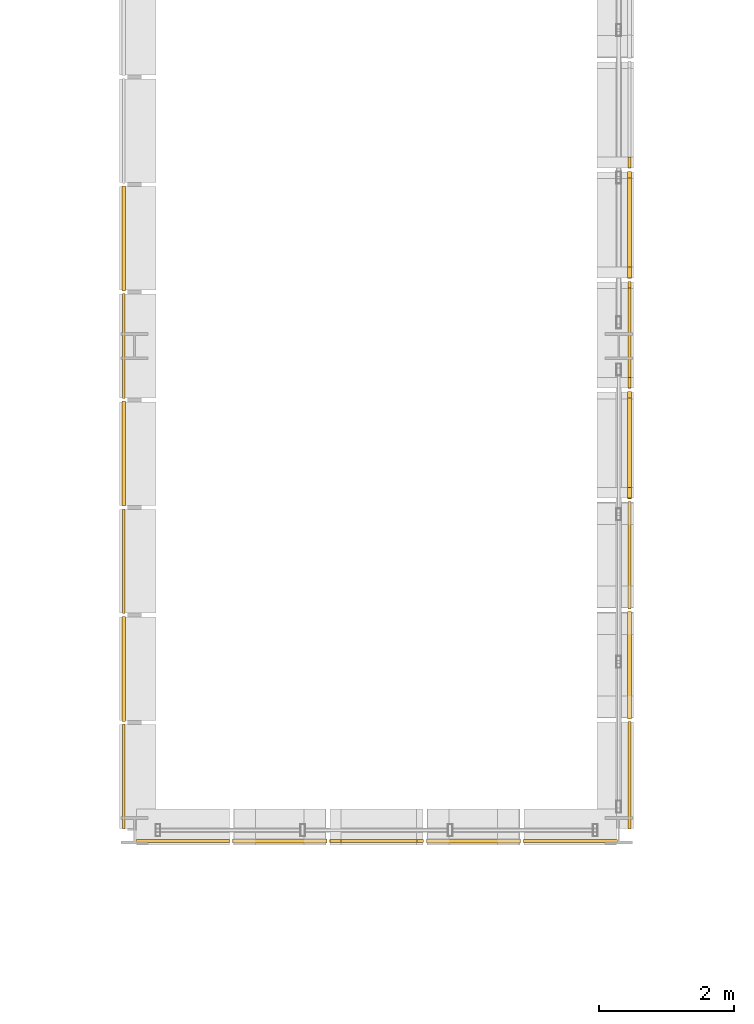
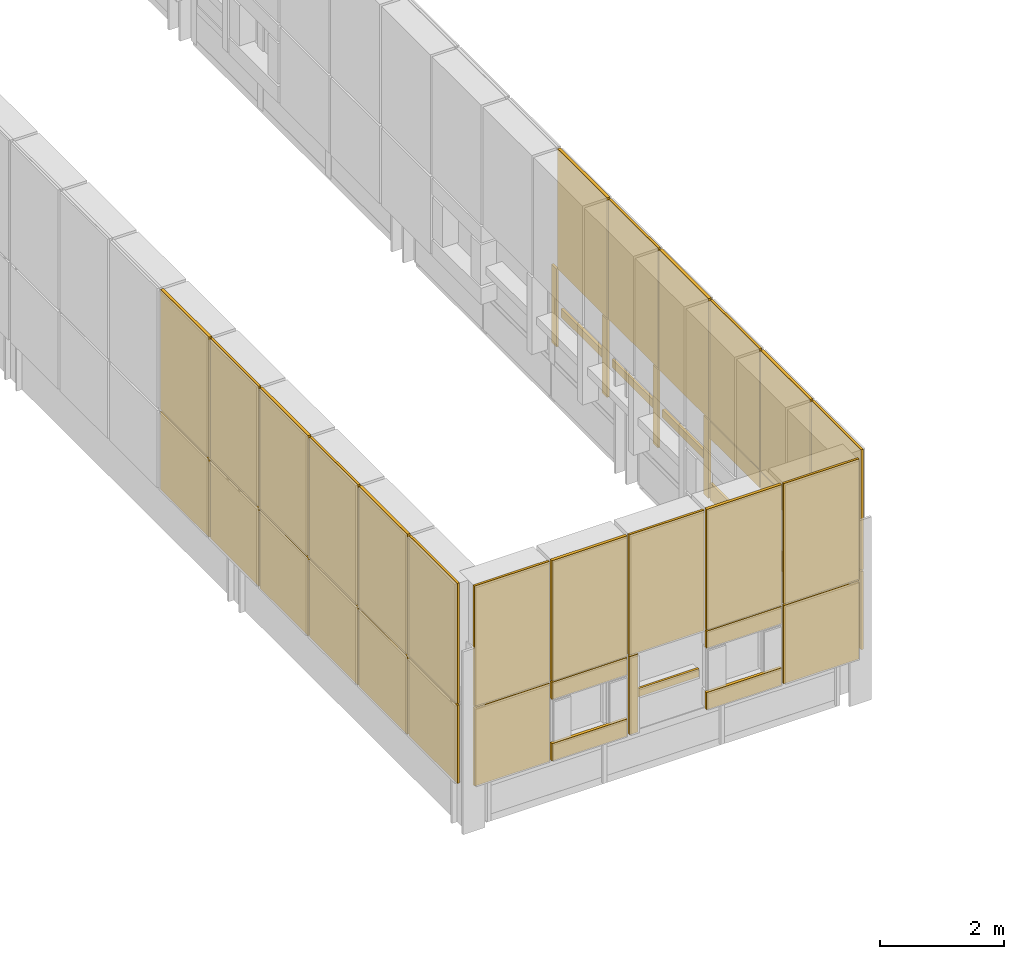
# One storey, part 76 of 96: 43 coverings.
"""IFC4 building model written with IfcOpenShell, lengths in metres."""

from ifc_helpers import new_model, si_unit, direction, frame, origin, origin_2d, place, context, subcontext, project, spatial, rectangle, extrude, material, layer, layer_set, type_object, element, save


model = new_model("IFC4")

# Units and contexts
model_context = context("Model", 3, precision=1e-05, world=origin(), true_north=direction((0.0, 1.0)))
body_context = subcontext(model_context, "Body", "Model", "MODEL_VIEW")
ifc_project = project(units=[si_unit("LENGTHUNIT", "METRE"), si_unit("AREAUNIT", "SQUARE_METRE"), si_unit("VOLUMEUNIT", "CUBIC_METRE"), si_unit("PLANEANGLEUNIT", "RADIAN"), si_unit("MASSUNIT", "GRAM", prefix="KILO")], contexts=[model_context])

# Site, building, storey
site_placement = place(None, origin())
site = spatial("IfcSite", under=ifc_project, at=site_placement, CompositionType="ELEMENT")
building_placement = place(site_placement, origin())
building = spatial("IfcBuilding", under=site, at=building_placement, Name="Yarey Park Central Fire Station", CompositionType="ELEMENT")
storey_placement = place(building_placement, frame((0.0, 0.0, 14.39990234375)))
storey = spatial("IfcBuildingStorey", under=building, at=storey_placement, Name="L04", CompositionType="ELEMENT", Elevation=14.39990234375)

# Coverings
ifc_material = material(Name="Perforated Powder-Coated Aluminium Cladding", Category="aluminium")
ifc_layer_1 = layer(ifc_material, 0.0419921875)
ifc_layer_set_1 = layer_set([ifc_layer_1], Name="Perforated Powder-Coated Aluminium Cladding")
covering_type_1 = type_object("IfcCoveringType", Name="ENV_COV_PERF_1", PredefinedType="CLADDING", material=ifc_layer_set_1)
covering_1_placement = place(storey_placement, frame((51.1201171875, 21.43994140625, 0.864990234375), z_axis=(0.0, 0.0, 1.0), x_axis=(1.0, 0.0, 0.0)))
element("IfcCovering", 1, at=covering_1_placement, inside=storey, type_object=covering_type_1, Name="PERF_L04_0268", PredefinedType="CLADDING", context=body_context, shape_type="SweptSolid", body=[
    extrude(rectangle(XDim=1.39990234375, YDim=0.0419921875, at=origin_2d()), origin(), (0.0, 0.0, 1.0), 1.5400390625),
])
covering_2_placement = place(storey_placement, frame((51.1201171875, 21.43994140625, 2.43505859375), z_axis=(0.0, 0.0, 1.0), x_axis=(1.0, 0.0, 0.0)))
element("IfcCovering", 2, at=covering_2_placement, inside=storey, type_object=covering_type_1, Name="PERF_L04_0269", PredefinedType="CLADDING", context=body_context, shape_type="SweptSolid", body=[
    extrude(rectangle(XDim=1.39990234375, YDim=0.0419921875, at=origin_2d()), origin(), (0.0, 0.0, 1.0), 2.3701171875),
])
covering_3_placement = place(storey_placement, frame((53.389892578125, 21.43994140625, 0.864990234375), z_axis=(0.0, 0.0, 1.0), x_axis=(1.0, 0.0, 0.0)))
element("IfcCovering", 3, at=covering_3_placement, inside=storey, type_object=covering_type_1, Name="PERF_L04_0285", PredefinedType="CLADDING", context=body_context, shape_type="SweptSolid", body=[
    extrude(rectangle(XDim=0.159912109375, YDim=0.0419921875, at=origin_2d()), origin(), (0.0, 0.0, 1.0), 1.5400390625),
])
covering_4_placement = place(storey_placement, frame((54.0, 21.43994140625, 1.55517578125), z_axis=(0.0, 0.0, 1.0), x_axis=(1.0, 0.0, 0.0)))
element("IfcCovering", 4, at=covering_4_placement, inside=storey, type_object=covering_type_1, Name="PERF_L04_0286", PredefinedType="CLADDING", context=body_context, shape_type="SweptSolid", body=[
    extrude(rectangle(XDim=1.199951171875, YDim=0.0419921875, at=origin_2d()), origin(), (0.0, 0.0, 1.0), 0.159912109375),
])
covering_5_placement = place(storey_placement, frame((54.0, 21.43994140625, 2.43505859375), z_axis=(0.0, 0.0, 1.0), x_axis=(1.0, 0.0, 0.0)))
element("IfcCovering", 5, at=covering_5_placement, inside=storey, type_object=covering_type_1, Name="PERF_L04_0287", PredefinedType="CLADDING", context=body_context, shape_type="SweptSolid", body=[
    extrude(rectangle(XDim=1.39990234375, YDim=0.0419921875, at=origin_2d()), origin(), (0.0, 0.0, 1.0), 2.3701171875),
])
covering_6_placement = place(storey_placement, frame((56.8798828125, 21.43994140625, 0.864990234375), z_axis=(0.0, 0.0, 1.0), x_axis=(1.0, 0.0, 0.0)))
element("IfcCovering", 6, at=covering_6_placement, inside=storey, type_object=covering_type_1, Name="PERF_L04_0302", PredefinedType="CLADDING", context=body_context, shape_type="SweptSolid", body=[
    extrude(rectangle(XDim=1.39990234375, YDim=0.0419921875, at=origin_2d()), origin(), (0.0, 0.0, 1.0), 1.5400390625),
])
covering_7_placement = place(storey_placement, frame((56.8798828125, 21.43994140625, 2.43505859375), z_axis=(0.0, 0.0, 1.0), x_axis=(1.0, 0.0, 0.0)))
element("IfcCovering", 7, at=covering_7_placement, inside=storey, type_object=covering_type_1, Name="PERF_L04_0303", PredefinedType="CLADDING", context=body_context, shape_type="SweptSolid", body=[
    extrude(rectangle(XDim=1.39990234375, YDim=0.0419921875, at=origin_2d()), origin(), (0.0, 0.0, 1.0), 2.3701171875),
])
covering_8_placement = place(storey_placement, frame((57.760009765625, 22.418212890625, 0.864990234375), z_axis=(0.0, 0.0, 1.0), x_axis=(0.0, 1.0, 0.0)))
element("IfcCovering", 8, at=covering_8_placement, inside=storey, type_object=covering_type_1, Name="PERF_L04_0307", PredefinedType="CLADDING", context=body_context, shape_type="SweptSolid", body=[
    extrude(rectangle(XDim=1.596435546875, YDim=0.0419921875, at=origin_2d()), origin(), (0.0, 0.0, 1.0), 1.5400390625),
])
covering_9_placement = place(storey_placement, frame((57.760009765625, 22.418212890625, 2.43505859375), z_axis=(0.0, 0.0, 1.0), x_axis=(0.0, 1.0, 0.0)))
element("IfcCovering", 9, at=covering_9_placement, inside=storey, type_object=covering_type_1, Name="PERF_L04_0308", PredefinedType="CLADDING", context=body_context, shape_type="SweptSolid", body=[
    extrude(rectangle(XDim=1.596435546875, YDim=0.0419921875, at=origin_2d()), origin(), (0.0, 0.0, 1.0), 2.3701171875),
])
for number, where, z_axis, x_axis, name in (
    (10, (57.760009765625, 25.69091796875, 0.85986328125), (0.0, 0.0, 1.0), (0.0, 1.0, 0.0), "PERF_L04_0326"),
    (11, (57.760009765625, 25.69091796875, 2.06982421875), (0.0, 0.0, 1.0), (0.0, 1.0, 0.0), "PERF_L04_0327"),
):
    element("IfcCovering", number, at=place(storey_placement, frame(where, z_axis=z_axis, x_axis=x_axis)), inside=storey, type_object=covering_type_1, Name=name, PredefinedType="CLADDING", context=body_context, shape_type="SweptSolid", body=[
        extrude(rectangle(XDim=1.596435546875, YDim=0.0419921875, at=origin_2d()), origin(), (0.0, 0.0, 1.0), 0.340087890625),
    ])
covering_10_placement = place(storey_placement, frame((57.760009765625, 25.69091796875, 2.43505859375), z_axis=(0.0, 0.0, 1.0), x_axis=(0.0, 1.0, 0.0)))
element("IfcCovering", 12, at=covering_10_placement, inside=storey, type_object=covering_type_1, Name="PERF_L04_0330", PredefinedType="CLADDING", context=body_context, shape_type="SweptSolid", body=[
    extrude(rectangle(XDim=1.596435546875, YDim=0.0419921875, at=origin_2d()), origin(), (0.0, 0.0, 1.0), 2.3701171875),
])
covering_11_placement = place(storey_placement, frame((57.760009765625, 28.25537109375, 0.864990234375), z_axis=(0.0, 0.0, 1.0), x_axis=(0.0, 1.0, 0.0)))
element("IfcCovering", 13, at=covering_11_placement, inside=storey, type_object=covering_type_1, Name="PERF_L04_0342", PredefinedType="CLADDING", context=body_context, shape_type="SweptSolid", body=[
    extrude(rectangle(XDim=0.159912109375, YDim=0.0419921875, at=origin_2d()), origin(), (0.0, 0.0, 1.0), 1.5400390625),
])
covering_12_placement = place(storey_placement, frame((57.760009765625, 28.963623046875, 1.55517578125), z_axis=(0.0, 0.0, 1.0), x_axis=(0.0, 1.0, 0.0)))
element("IfcCovering", 14, at=covering_12_placement, inside=storey, type_object=covering_type_1, Name="PERF_L04_0343", PredefinedType="CLADDING", context=body_context, shape_type="SweptSolid", body=[
    extrude(rectangle(XDim=1.396484375, YDim=0.0419921875, at=origin_2d()), origin(), (0.0, 0.0, 1.0), 0.159912109375),
])
covering_13_placement = place(storey_placement, frame((57.760009765625, 28.963623046875, 2.43505859375), z_axis=(0.0, 0.0, 1.0), x_axis=(0.0, 1.0, 0.0)))
element("IfcCovering", 15, at=covering_13_placement, inside=storey, type_object=covering_type_1, Name="PERF_L04_0344", PredefinedType="CLADDING", context=body_context, shape_type="SweptSolid", body=[
    extrude(rectangle(XDim=1.596435546875, YDim=0.0419921875, at=origin_2d()), origin(), (0.0, 0.0, 1.0), 2.3701171875),
])
covering_14_placement = place(storey_placement, frame((57.760009765625, 31.5283203125, 0.864990234375), z_axis=(0.0, 0.0, 1.0), x_axis=(0.0, 1.0, 0.0)))
element("IfcCovering", 16, at=covering_14_placement, inside=storey, type_object=covering_type_1, Name="PERF_L04_0356", PredefinedType="CLADDING", context=body_context, shape_type="SweptSolid", body=[
    extrude(rectangle(XDim=0.159912109375, YDim=0.0419921875, at=origin_2d()), origin(), (0.0, 0.0, 1.0), 1.5400390625),
])
covering_15_placement = place(storey_placement, frame((50.239990234375, 22.39990234375, 0.864990234375), z_axis=(0.0, 0.0, 1.0), x_axis=(0.0, 1.0, 0.0)))
element("IfcCovering", 17, at=covering_15_placement, inside=storey, type_object=covering_type_1, Name="PERF_L04_0990", PredefinedType="CLADDING", context=body_context, shape_type="SweptSolid", body=[
    extrude(rectangle(XDim=1.56005859375, YDim=0.0419921875, at=origin_2d()), origin(), (0.0, 0.0, 1.0), 1.5400390625),
])
covering_16_placement = place(storey_placement, frame((50.239990234375, 22.39990234375, 2.43505859375), z_axis=(0.0, 0.0, 1.0), x_axis=(0.0, 1.0, 0.0)))
element("IfcCovering", 18, at=covering_16_placement, inside=storey, type_object=covering_type_1, Name="PERF_L04_0991", PredefinedType="CLADDING", context=body_context, shape_type="SweptSolid", body=[
    extrude(rectangle(XDim=1.56005859375, YDim=0.0419921875, at=origin_2d()), origin(), (0.0, 0.0, 1.0), 2.3701171875),
])
covering_17_placement = place(storey_placement, frame((50.239990234375, 25.60009765625, 0.864990234375), z_axis=(0.0, 0.0, 1.0), x_axis=(0.0, 1.0, 0.0)))
element("IfcCovering", 19, at=covering_17_placement, inside=storey, type_object=covering_type_1, Name="PERF_L04_1000", PredefinedType="CLADDING", context=body_context, shape_type="SweptSolid", body=[
    extrude(rectangle(XDim=1.56005859375, YDim=0.0419921875, at=origin_2d()), origin(), (0.0, 0.0, 1.0), 1.5400390625),
])
covering_18_placement = place(storey_placement, frame((50.239990234375, 25.60009765625, 2.43505859375), z_axis=(0.0, 0.0, 1.0), x_axis=(0.0, 1.0, 0.0)))
element("IfcCovering", 20, at=covering_18_placement, inside=storey, type_object=covering_type_1, Name="PERF_L04_1001", PredefinedType="CLADDING", context=body_context, shape_type="SweptSolid", body=[
    extrude(rectangle(XDim=1.56005859375, YDim=0.0419921875, at=origin_2d()), origin(), (0.0, 0.0, 1.0), 2.3701171875),
])
covering_19_placement = place(storey_placement, frame((50.239990234375, 28.800048828125, 0.864990234375), z_axis=(0.0, 0.0, 1.0), x_axis=(0.0, 1.0, 0.0)))
element("IfcCovering", 21, at=covering_19_placement, inside=storey, type_object=covering_type_1, Name="PERF_L04_1010", PredefinedType="CLADDING", context=body_context, shape_type="SweptSolid", body=[
    extrude(rectangle(XDim=1.56005859375, YDim=0.0419921875, at=origin_2d()), origin(), (0.0, 0.0, 1.0), 1.5400390625),
])
covering_20_placement = place(storey_placement, frame((50.239990234375, 28.800048828125, 2.43505859375), z_axis=(0.0, 0.0, 1.0), x_axis=(0.0, 1.0, 0.0)))
element("IfcCovering", 22, at=covering_20_placement, inside=storey, type_object=covering_type_1, Name="PERF_L04_1011", PredefinedType="CLADDING", context=body_context, shape_type="SweptSolid", body=[
    extrude(rectangle(XDim=1.56005859375, YDim=0.0419921875, at=origin_2d()), origin(), (0.0, 0.0, 1.0), 2.3701171875),
])
ifc_layer_2 = layer(ifc_material, 0.053955078125)
ifc_layer_set_2 = layer_set([ifc_layer_2], Name="Perforated Powder-Coated Aluminium Cladding")
covering_type_2 = type_object("IfcCoveringType", Name="ENV_COV_PERF_2", PredefinedType="CLADDING", material=ifc_layer_set_2)
for number, where, z_axis, x_axis, name in (
    (23, (52.56005859375, 21.43994140625, 0.85986328125), (0.0, 0.0, 1.0), (1.0, 0.0, 0.0), "PERF_L04_0276"),
    (24, (52.56005859375, 21.43994140625, 2.06982421875), (0.0, 0.0, 1.0), (1.0, 0.0, 0.0), "PERF_L04_0277"),
):
    element("IfcCovering", number, at=place(storey_placement, frame(where, z_axis=z_axis, x_axis=x_axis)), inside=storey, type_object=covering_type_2, Name=name, PredefinedType="CLADDING", context=body_context, shape_type="SweptSolid", body=[
        extrude(rectangle(XDim=1.39990234375, YDim=0.053955078125, at=origin_2d()), origin(), (0.0, 0.0, 1.0), 0.340087890625),
    ])
covering_21_placement = place(storey_placement, frame((52.56005859375, 21.43994140625, 2.43505859375), z_axis=(0.0, 0.0, 1.0), x_axis=(1.0, 0.0, 0.0)))
element("IfcCovering", 25, at=covering_21_placement, inside=storey, type_object=covering_type_2, Name="PERF_L04_0280", PredefinedType="CLADDING", context=body_context, shape_type="SweptSolid", body=[
    extrude(rectangle(XDim=1.39990234375, YDim=0.053955078125, at=origin_2d()), origin(), (0.0, 0.0, 1.0), 2.3701171875),
])
for number, where, z_axis, x_axis, name in (
    (26, (55.43994140625, 21.43994140625, 0.85986328125), (0.0, 0.0, 1.0), (1.0, 0.0, 0.0), "PERF_L04_0294"),
    (27, (55.43994140625, 21.43994140625, 2.06982421875), (0.0, 0.0, 1.0), (1.0, 0.0, 0.0), "PERF_L04_0295"),
):
    element("IfcCovering", number, at=place(storey_placement, frame(where, z_axis=z_axis, x_axis=x_axis)), inside=storey, type_object=covering_type_2, Name=name, PredefinedType="CLADDING", context=body_context, shape_type="SweptSolid", body=[
        extrude(rectangle(XDim=1.39990234375, YDim=0.053955078125, at=origin_2d()), origin(), (0.0, 0.0, 1.0), 0.340087890625),
    ])
covering_22_placement = place(storey_placement, frame((55.43994140625, 21.43994140625, 2.43505859375), z_axis=(0.0, 0.0, 1.0), x_axis=(1.0, 0.0, 0.0)))
element("IfcCovering", 28, at=covering_22_placement, inside=storey, type_object=covering_type_2, Name="PERF_L04_0298", PredefinedType="CLADDING", context=body_context, shape_type="SweptSolid", body=[
    extrude(rectangle(XDim=1.39990234375, YDim=0.053955078125, at=origin_2d()), origin(), (0.0, 0.0, 1.0), 2.3701171875),
])
for number, where, z_axis, x_axis, name in (
    (29, (57.760009765625, 24.054443359375, 0.85986328125), (0.0, 0.0, 1.0), (0.0, 1.0, 0.0), "PERF_L04_0315"),
    (30, (57.760009765625, 24.054443359375, 2.06982421875), (0.0, 0.0, 1.0), (0.0, 1.0, 0.0), "PERF_L04_0316"),
):
    element("IfcCovering", number, at=place(storey_placement, frame(where, z_axis=z_axis, x_axis=x_axis)), inside=storey, type_object=covering_type_2, Name=name, PredefinedType="CLADDING", context=body_context, shape_type="SweptSolid", body=[
        extrude(rectangle(XDim=1.596435546875, YDim=0.053955078125, at=origin_2d()), origin(), (0.0, 0.0, 1.0), 0.340087890625),
    ])
covering_23_placement = place(storey_placement, frame((57.760009765625, 24.054443359375, 2.43505859375), z_axis=(0.0, 0.0, 1.0), x_axis=(0.0, 1.0, 0.0)))
element("IfcCovering", 31, at=covering_23_placement, inside=storey, type_object=covering_type_2, Name="PERF_L04_0319", PredefinedType="CLADDING", context=body_context, shape_type="SweptSolid", body=[
    extrude(rectangle(XDim=1.596435546875, YDim=0.053955078125, at=origin_2d()), origin(), (0.0, 0.0, 1.0), 2.3701171875),
])
covering_24_placement = place(storey_placement, frame((57.760009765625, 26.619140625, 0.864990234375), z_axis=(0.0, 0.0, 1.0), x_axis=(0.0, 1.0, 0.0)))
element("IfcCovering", 32, at=covering_24_placement, inside=storey, type_object=covering_type_2, Name="PERF_L04_0335", PredefinedType="CLADDING", context=body_context, shape_type="SweptSolid", body=[
    extrude(rectangle(XDim=0.159912109375, YDim=0.053955078125, at=origin_2d()), origin(), (0.0, 0.0, 1.0), 1.5400390625),
])
covering_25_placement = place(storey_placement, frame((57.760009765625, 27.327392578125, 1.55517578125), z_axis=(0.0, 0.0, 1.0), x_axis=(0.0, 1.0, 0.0)))
element("IfcCovering", 33, at=covering_25_placement, inside=storey, type_object=covering_type_2, Name="PERF_L04_0336", PredefinedType="CLADDING", context=body_context, shape_type="SweptSolid", body=[
    extrude(rectangle(XDim=1.396484375, YDim=0.053955078125, at=origin_2d()), origin(), (0.0, 0.0, 1.0), 0.159912109375),
])
covering_26_placement = place(storey_placement, frame((57.760009765625, 27.327392578125, 2.43505859375), z_axis=(0.0, 0.0, 1.0), x_axis=(0.0, 1.0, 0.0)))
element("IfcCovering", 34, at=covering_26_placement, inside=storey, type_object=covering_type_2, Name="PERF_L04_0337", PredefinedType="CLADDING", context=body_context, shape_type="SweptSolid", body=[
    extrude(rectangle(XDim=1.596435546875, YDim=0.053955078125, at=origin_2d()), origin(), (0.0, 0.0, 1.0), 2.3701171875),
])
covering_27_placement = place(storey_placement, frame((57.760009765625, 29.891845703125, 0.864990234375), z_axis=(0.0, 0.0, 1.0), x_axis=(0.0, 1.0, 0.0)))
element("IfcCovering", 35, at=covering_27_placement, inside=storey, type_object=covering_type_2, Name="PERF_L04_0349", PredefinedType="CLADDING", context=body_context, shape_type="SweptSolid", body=[
    extrude(rectangle(XDim=0.159912109375, YDim=0.053955078125, at=origin_2d()), origin(), (0.0, 0.0, 1.0), 1.5400390625),
])
covering_28_placement = place(storey_placement, frame((57.760009765625, 30.60009765625, 1.55517578125), z_axis=(0.0, 0.0, 1.0), x_axis=(0.0, 1.0, 0.0)))
element("IfcCovering", 36, at=covering_28_placement, inside=storey, type_object=covering_type_2, Name="PERF_L04_0350", PredefinedType="CLADDING", context=body_context, shape_type="SweptSolid", body=[
    extrude(rectangle(XDim=1.396484375, YDim=0.053955078125, at=origin_2d()), origin(), (0.0, 0.0, 1.0), 0.159912109375),
])
covering_29_placement = place(storey_placement, frame((57.760009765625, 30.60009765625, 2.43505859375), z_axis=(0.0, 0.0, 1.0), x_axis=(0.0, 1.0, 0.0)))
element("IfcCovering", 37, at=covering_29_placement, inside=storey, type_object=covering_type_2, Name="PERF_L04_0351", PredefinedType="CLADDING", context=body_context, shape_type="SweptSolid", body=[
    extrude(rectangle(XDim=1.596435546875, YDim=0.053955078125, at=origin_2d()), origin(), (0.0, 0.0, 1.0), 2.3701171875),
])
covering_30_placement = place(storey_placement, frame((50.239990234375, 24.0, 0.864990234375), z_axis=(0.0, 0.0, 1.0), x_axis=(0.0, 1.0, 0.0)))
element("IfcCovering", 38, at=covering_30_placement, inside=storey, type_object=covering_type_2, Name="PERF_L04_0995", PredefinedType="CLADDING", context=body_context, shape_type="SweptSolid", body=[
    extrude(rectangle(XDim=1.56005859375, YDim=0.053955078125, at=origin_2d()), origin(), (0.0, 0.0, 1.0), 1.5400390625),
])
covering_31_placement = place(storey_placement, frame((50.239990234375, 24.0, 2.43505859375), z_axis=(0.0, 0.0, 1.0), x_axis=(0.0, 1.0, 0.0)))
element("IfcCovering", 39, at=covering_31_placement, inside=storey, type_object=covering_type_2, Name="PERF_L04_0996", PredefinedType="CLADDING", context=body_context, shape_type="SweptSolid", body=[
    extrude(rectangle(XDim=1.56005859375, YDim=0.053955078125, at=origin_2d()), origin(), (0.0, 0.0, 1.0), 2.3701171875),
])
covering_32_placement = place(storey_placement, frame((50.239990234375, 27.199951171875, 0.864990234375), z_axis=(0.0, 0.0, 1.0), x_axis=(0.0, 1.0, 0.0)))
element("IfcCovering", 40, at=covering_32_placement, inside=storey, type_object=covering_type_2, Name="PERF_L04_1005", PredefinedType="CLADDING", context=body_context, shape_type="SweptSolid", body=[
    extrude(rectangle(XDim=1.56005859375, YDim=0.053955078125, at=origin_2d()), origin(), (0.0, 0.0, 1.0), 1.5400390625),
])
covering_33_placement = place(storey_placement, frame((50.239990234375, 27.199951171875, 2.43505859375), z_axis=(0.0, 0.0, 1.0), x_axis=(0.0, 1.0, 0.0)))
element("IfcCovering", 41, at=covering_33_placement, inside=storey, type_object=covering_type_2, Name="PERF_L04_1006", PredefinedType="CLADDING", context=body_context, shape_type="SweptSolid", body=[
    extrude(rectangle(XDim=1.56005859375, YDim=0.053955078125, at=origin_2d()), origin(), (0.0, 0.0, 1.0), 2.3701171875),
])
covering_34_placement = place(storey_placement, frame((50.239990234375, 30.39990234375, 0.864990234375), z_axis=(0.0, 0.0, 1.0), x_axis=(0.0, 1.0, 0.0)))
element("IfcCovering", 42, at=covering_34_placement, inside=storey, type_object=covering_type_2, Name="PERF_L04_1015", PredefinedType="CLADDING", context=body_context, shape_type="SweptSolid", body=[
    extrude(rectangle(XDim=1.56005859375, YDim=0.053955078125, at=origin_2d()), origin(), (0.0, 0.0, 1.0), 1.5400390625),
])
covering_35_placement = place(storey_placement, frame((50.239990234375, 30.39990234375, 2.43505859375), z_axis=(0.0, 0.0, 1.0), x_axis=(0.0, 1.0, 0.0)))
element("IfcCovering", 43, at=covering_35_placement, inside=storey, type_object=covering_type_2, Name="PERF_L04_1016", PredefinedType="CLADDING", context=body_context, shape_type="SweptSolid", body=[
    extrude(rectangle(XDim=1.56005859375, YDim=0.053955078125, at=origin_2d()), origin(), (0.0, 0.0, 1.0), 2.3701171875),
])

save(model, "model.ifc")
